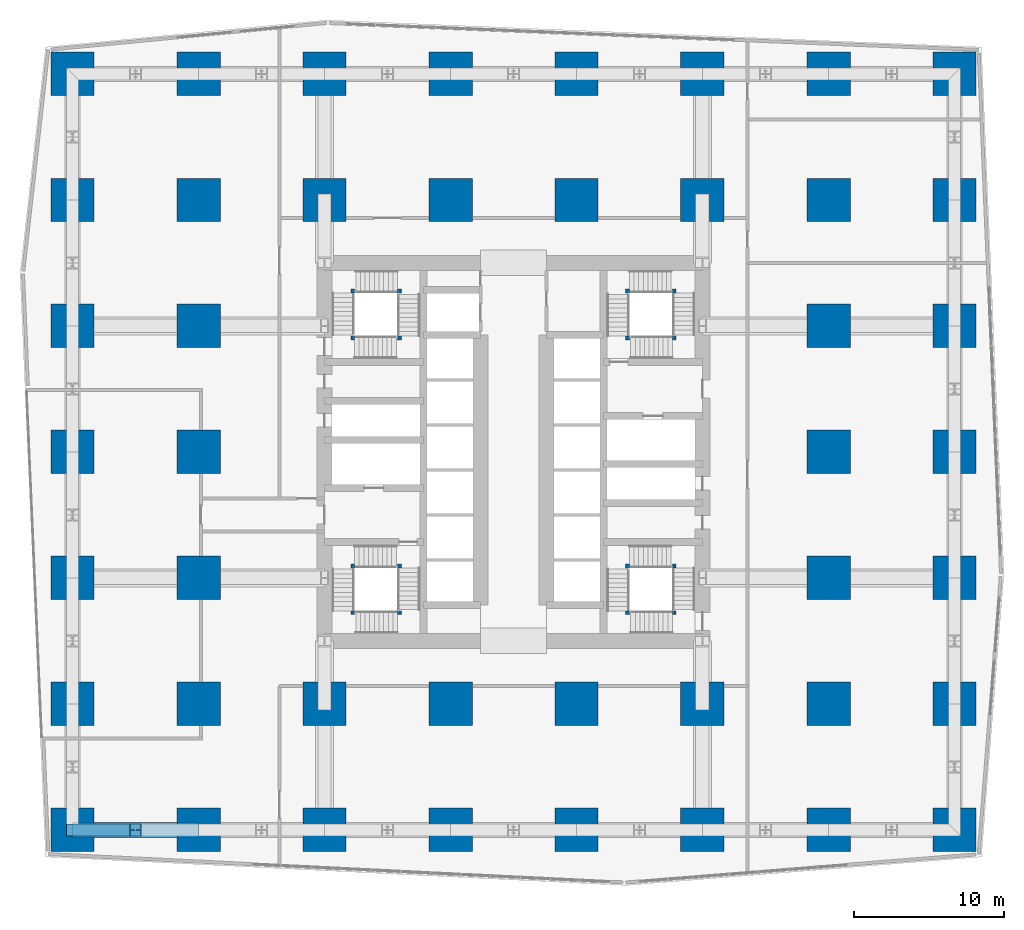
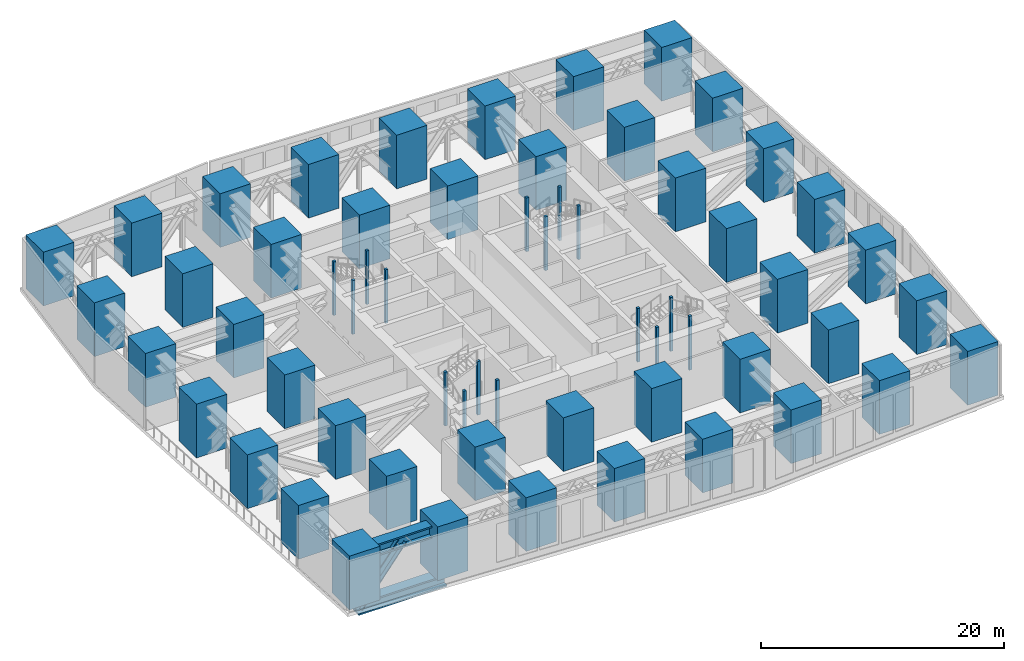
# One storey, part 1 of 16: 60 columns, 3 members.
"""IFC4 building model written with IfcOpenShell, lengths in metres."""

from ifc_helpers import new_model, si_unit, direction, frame, origin, origin_2d, place, context, subcontext, project, spatial, rectangle, i_section, extrude, material, material_profile, profile_set, type_object, element, save


model = new_model("IFC4")

# Units and contexts
model_context = context("Model", 3, precision=1e-05, world=origin(), true_north=direction((0.0, 1.0)))
body_context = subcontext(model_context, "Body", "Model", "MODEL_VIEW")
ifc_project = project(units=[si_unit("LENGTHUNIT", "METRE"), si_unit("AREAUNIT", "SQUARE_METRE"), si_unit("VOLUMEUNIT", "CUBIC_METRE"), si_unit("PLANEANGLEUNIT", "RADIAN"), si_unit("MASSUNIT", "GRAM", prefix="KILO")], contexts=[model_context])

# Site, building, storey
site_placement = place(None, origin())
site = spatial("IfcSite", under=ifc_project, at=site_placement, CompositionType="ELEMENT")
building_placement = place(site_placement, origin())
building = spatial("IfcBuilding", under=site, at=building_placement, Name="Rekha Terrace Tower", CompositionType="ELEMENT")
storey_placement = place(building_placement, frame((0.0, 0.0, 85.39990234375)))
storey = spatial("IfcBuildingStorey", under=building, at=storey_placement, Name="L21", CompositionType="ELEMENT", Elevation=85.39990234375)

# Columns
ifc_material_1 = material(Name="Concrete M70", Category="concrete")
ifc_material_profile_1 = material_profile(ifc_material_1, rectangle(XDim=2.89990234375, YDim=2.89990234375, at=origin_2d()), Name="RC 2900x2900")
ifc_profile_set_1 = profile_set([ifc_material_profile_1], Name="Concrete M70")
column_type_1 = type_object("IfcColumnType", Name="C3B 2900x2900 column", PredefinedType="COLUMN", material=ifc_profile_set_1)
for number, where, z_axis, x_axis, name in (
    (1, (8.39990234375, 8.39990234375, 0.0), (0.0, 0.0, 1.0), (1.0, 0.0, 0.0), "Column C3B 2/B L21"),
    (2, (8.39990234375, 16.800048828125, 0.0), (0.0, 0.0, 1.0), (1.0, 0.0, 0.0), "Column C3B 2/C L21"),
    (3, (8.39990234375, 25.199951171875, 0.0), (0.0, 0.0, 1.0), (1.0, 0.0, 0.0), "Column C3B 2/D L21"),
    (4, (8.39990234375, 33.60009765625, 0.0), (0.0, 0.0, 1.0), (1.0, 0.0, 0.0), "Column C3B 2/E L21"),
    (5, (8.39990234375, 42.0, 0.0), (0.0, 0.0, 1.0), (1.0, 0.0, 0.0), "Column C3B 2/F L21"),
    (6, (8.39990234375, 50.39990234375, 0.0), (0.0, 0.0, 1.0), (1.0, 0.0, 0.0), "Column C3B 2/G L21"),
    (7, (8.39990234375, 58.800048828125, 0.0), (0.0, 0.0, 1.0), (1.0, 0.0, 0.0), "Column C3B 2/H L21"),
    (8, (16.800048828125, 8.39990234375, 0.0), (0.0, 0.0, 1.0), (1.0, 0.0, 0.0), "Column C3B 3/B L21"),
    (9, (16.800048828125, 16.800048828125, 0.0), (0.0, 0.0, 1.0), (1.0, 0.0, 0.0), "Column C3B 3/C L21"),
    (10, (16.800048828125, 25.199951171875, 0.0), (0.0, 0.0, 1.0), (1.0, 0.0, 0.0), "Column C3B 3/D L21"),
    (11, (16.800048828125, 33.60009765625, 0.0), (0.0, 0.0, 1.0), (1.0, 0.0, 0.0), "Column C3B 3/E L21"),
    (12, (16.800048828125, 42.0, 0.0), (0.0, 0.0, 1.0), (1.0, 0.0, 0.0), "Column C3B 3/F L21"),
    (13, (16.800048828125, 50.39990234375, 0.0), (0.0, 0.0, 1.0), (1.0, 0.0, 0.0), "Column C3B 3/G L21"),
    (14, (16.800048828125, 58.800048828125, 0.0), (0.0, 0.0, 1.0), (1.0, 0.0, 0.0), "Column C3B 3/H L21"),
    (15, (25.199951171875, 8.39990234375, 0.0), (0.0, 0.0, 1.0), (1.0, 0.0, 0.0), "Column C3B 4/B L21"),
    (16, (25.199951171875, 16.800048828125, 0.0), (0.0, 0.0, 1.0), (1.0, 0.0, 0.0), "Column C3B 4/C L21"),
    (17, (25.199951171875, 50.39990234375, 0.0), (0.0, 0.0, 1.0), (1.0, 0.0, 0.0), "Column C3B 4/G L21"),
    (18, (25.199951171875, 58.800048828125, 0.0), (0.0, 0.0, 1.0), (1.0, 0.0, 0.0), "Column C3B 4/H L21"),
    (19, (33.60009765625, 8.39990234375, 0.0), (0.0, 0.0, 1.0), (1.0, 0.0, 0.0), "Column C3B 5/B L21"),
    (20, (33.60009765625, 16.800048828125, 0.0), (0.0, 0.0, 1.0), (1.0, 0.0, 0.0), "Column C3B 5/C L21"),
    (21, (33.60009765625, 50.39990234375, 0.0), (0.0, 0.0, 1.0), (1.0, 0.0, 0.0), "Column C3B 5/G L21"),
    (22, (33.60009765625, 58.800048828125, 0.0), (0.0, 0.0, 1.0), (1.0, 0.0, 0.0), "Column C3B 5/H L21"),
    (23, (42.0, 8.39990234375, 0.0), (0.0, 0.0, 1.0), (1.0, 0.0, 0.0), "Column C3B 6/B L21"),
    (24, (42.0, 16.800048828125, 0.0), (0.0, 0.0, 1.0), (1.0, 0.0, 0.0), "Column C3B 6/C L21"),
    (25, (42.0, 50.39990234375, 0.0), (0.0, 0.0, 1.0), (1.0, 0.0, 0.0), "Column C3B 6/G L21"),
    (26, (42.0, 58.800048828125, 0.0), (0.0, 0.0, 1.0), (1.0, 0.0, 0.0), "Column C3B 6/H L21"),
    (27, (50.39990234375, 8.39990234375, 0.0), (0.0, 0.0, 1.0), (1.0, 0.0, 0.0), "Column C3B 7/B L21"),
    (28, (50.39990234375, 16.800048828125, 0.0), (0.0, 0.0, 1.0), (1.0, 0.0, 0.0), "Column C3B 7/C L21"),
    (29, (50.39990234375, 50.39990234375, 0.0), (0.0, 0.0, 1.0), (1.0, 0.0, 0.0), "Column C3B 7/G L21"),
    (30, (50.39990234375, 58.800048828125, 0.0), (0.0, 0.0, 1.0), (1.0, 0.0, 0.0), "Column C3B 7/H L21"),
    (31, (58.800048828125, 8.39990234375, 0.0), (0.0, 0.0, 1.0), (1.0, 0.0, 0.0), "Column C3B 8/B L21"),
    (32, (58.800048828125, 16.800048828125, 0.0), (0.0, 0.0, 1.0), (1.0, 0.0, 0.0), "Column C3B 8/C L21"),
    (33, (58.800048828125, 25.199951171875, 0.0), (0.0, 0.0, 1.0), (1.0, 0.0, 0.0), "Column C3B 8/D L21"),
    (34, (58.800048828125, 33.60009765625, 0.0), (0.0, 0.0, 1.0), (1.0, 0.0, 0.0), "Column C3B 8/E L21"),
    (35, (58.800048828125, 42.0, 0.0), (0.0, 0.0, 1.0), (1.0, 0.0, 0.0), "Column C3B 8/F L21"),
    (36, (58.800048828125, 50.39990234375, 0.0), (0.0, 0.0, 1.0), (1.0, 0.0, 0.0), "Column C3B 8/G L21"),
    (37, (58.800048828125, 58.800048828125, 0.0), (0.0, 0.0, 1.0), (1.0, 0.0, 0.0), "Column C3B 8/H L21"),
    (38, (67.199951171875, 8.39990234375, 0.0), (0.0, 0.0, 1.0), (1.0, 0.0, 0.0), "Column C3B 9/B L21"),
    (39, (67.199951171875, 16.800048828125, 0.0), (0.0, 0.0, 1.0), (1.0, 0.0, 0.0), "Column C3B 9/C L21"),
    (40, (67.199951171875, 25.199951171875, 0.0), (0.0, 0.0, 1.0), (1.0, 0.0, 0.0), "Column C3B 9/D L21"),
    (41, (67.199951171875, 33.60009765625, 0.0), (0.0, 0.0, 1.0), (1.0, 0.0, 0.0), "Column C3B 9/E L21"),
    (42, (67.199951171875, 42.0, 0.0), (0.0, 0.0, 1.0), (1.0, 0.0, 0.0), "Column C3B 9/F L21"),
    (43, (67.199951171875, 50.39990234375, 0.0), (0.0, 0.0, 1.0), (1.0, 0.0, 0.0), "Column C3B 9/G L21"),
    (44, (67.199951171875, 58.800048828125, 0.0), (0.0, 0.0, 1.0), (1.0, 0.0, 0.0), "Column C3B 9/H L21"),
):
    element("IfcColumn", number, at=place(storey_placement, frame(where, z_axis=z_axis, x_axis=x_axis)), inside=storey, type_object=column_type_1, Name=name, PredefinedType="COLUMN", context=body_context, shape_type="SweptSolid", body=[
        extrude(rectangle(XDim=2.89990234375, YDim=2.89990234375, at=origin_2d()), origin(), (0.0, 0.0, 1.0), 5.400146484375),
    ])
ifc_material_2 = material(Name="Concrete M60", Category="concrete")
ifc_material_profile_2 = material_profile(ifc_material_2, rectangle(XDim=0.25, YDim=0.25, at=origin_2d()), Name="RC 250x250")
ifc_profile_set_2 = profile_set([ifc_material_profile_2], Name="Concrete M60")
column_type_2 = type_object("IfcColumnType", Name="NP1 250x250 stair newel post", PredefinedType="COLUMN", material=ifc_profile_set_2)
for number, where, z_axis, x_axis, name in (
    (45, (30.199951171875, 26.0, 0.0), (0.0, 0.0, 1.0), (1.0, 0.0, 0.0), "Stair newel post NP1"),
    (46, (30.199951171875, 22.875, 0.0), (0.0, 0.0, 1.0), (1.0, 0.0, 0.0), "Stair newel post NP1"),
    (47, (27.074951171875, 22.875, 0.0), (0.0, 0.0, 1.0), (1.0, 0.0, 0.0), "Stair newel post NP1"),
    (48, (27.074951171875, 26.0, 0.0), (0.0, 0.0, 1.0), (1.0, 0.0, 0.0), "Stair newel post NP1"),
    (49, (45.39990234375, 41.199951171875, 0.0), (0.0, 0.0, 1.0), (1.0, 0.0, 0.0), "Stair newel post NP1"),
    (50, (45.39990234375, 44.324951171875, 0.0), (0.0, 0.0, 1.0), (1.0, 0.0, 0.0), "Stair newel post NP1"),
    (51, (48.52490234375, 44.324951171875, 0.0), (0.0, 0.0, 1.0), (1.0, 0.0, 0.0), "Stair newel post NP1"),
    (52, (48.52490234375, 41.199951171875, 0.0), (0.0, 0.0, 1.0), (1.0, 0.0, 0.0), "Stair newel post NP1"),
    (53, (48.52490234375, 22.875, 0.0), (0.0, 0.0, 1.0), (1.0, 0.0, 0.0), "Stair newel post NP1"),
    (54, (45.39990234375, 22.875, 0.0), (0.0, 0.0, 1.0), (1.0, 0.0, 0.0), "Stair newel post NP1"),
    (55, (45.39990234375, 26.0, 0.0), (0.0, 0.0, 1.0), (1.0, 0.0, 0.0), "Stair newel post NP1"),
    (56, (48.52490234375, 26.0, 0.0), (0.0, 0.0, 1.0), (1.0, 0.0, 0.0), "Stair newel post NP1"),
    (57, (27.074951171875, 41.199951171875, 0.0), (0.0, 0.0, 1.0), (1.0, 0.0, 0.0), "Stair newel post NP1"),
    (58, (30.199951171875, 41.199951171875, 0.0), (0.0, 0.0, 1.0), (1.0, 0.0, 0.0), "Stair newel post NP1"),
    (59, (30.199951171875, 44.324951171875, 0.0), (0.0, 0.0, 1.0), (1.0, 0.0, 0.0), "Stair newel post NP1"),
    (60, (27.074951171875, 44.324951171875, 0.0), (0.0, 0.0, 1.0), (1.0, 0.0, 0.0), "Stair newel post NP1"),
):
    element("IfcColumn", number, at=place(storey_placement, frame(where, z_axis=z_axis, x_axis=x_axis)), inside=storey, type_object=column_type_2, Name=name, PredefinedType="COLUMN", context=body_context, shape_type="SweptSolid", body=[
        extrude(rectangle(XDim=0.25, YDim=0.25, at=origin_2d()), origin(), (0.0, 0.0, 1.0), 5.400146484375),
    ])

# Members
ifc_material_3 = material(Name="Steel E350", Category="steel")
ifc_material_profile_3 = material_profile(ifc_material_3, i_section(OverallWidth=1.0, OverallDepth=1.199951171875, WebThickness=0.110107421875, FlangeThickness=0.14990234375, at=origin_2d()), Name="BU 1200x1000x110x150")
ifc_profile_set_3 = profile_set([ifc_material_profile_3], Name="Steel E350")
member_type_1 = type_object("IfcMemberType", Name="BC21 BU 1200x1000x110x150 belt truss chord", PredefinedType="CHORD", material=ifc_profile_set_3)
for number, where, z_axis, x_axis, name in (
    (61, (8.39990234375, 8.39990234375, 4.300048828125), (1.0, 0.0, 0.0), (0.0, 1.0, 0.0), "Belt top chord 2B-3B L21"),
    (62, (8.39990234375, 8.39990234375, -1.0498046875), (1.0, 0.0, 0.0), (0.0, 1.0, 0.0), "Belt bottom chord 2B-3B L21"),
):
    element("IfcMember", number, at=place(storey_placement, frame(where, z_axis=z_axis, x_axis=x_axis)), inside=storey, type_object=member_type_1, Name=name, PredefinedType="CHORD", context=body_context, shape_type="SweptSolid", body=[
        extrude(i_section(OverallWidth=1.0, OverallDepth=1.199951171875, WebThickness=0.110107421875, FlangeThickness=0.14990234375, at=origin_2d()), origin(), (0.0, 0.0, 1.0), 8.400146484375),
    ])
ifc_material_profile_4 = material_profile(ifc_material_3, i_section(OverallWidth=0.800048828125, OverallDepth=1.0, WebThickness=0.050048828125, FlangeThickness=0.090087890625, at=origin_2d()), Name="BU 1000x800x50x90")
ifc_profile_set_4 = profile_set([ifc_material_profile_4], Name="Steel E350")
member_type_2 = type_object("IfcMemberType", Name="BD21 BU 1000x800x50x90 belt truss diagonal", PredefinedType="BRACE", material=ifc_profile_set_4)
member_placement = place(storey_placement, frame((8.39990234375, 8.39990234375, -1.0498046875), z_axis=(0.617525068892, 0.0, 0.786551199408), x_axis=(0.0, 1.0, 0.0)))
element("IfcMember", 63, at=member_placement, inside=storey, type_object=member_type_2, Name="Belt diagonal 2B-3B L21", PredefinedType="BRACE", context=body_context, shape_type="SweptSolid", body=[
    extrude(i_section(OverallWidth=0.800048828125, OverallDepth=1.0, WebThickness=0.050048828125, FlangeThickness=0.090087890625, at=origin_2d()), origin(), (0.0, 0.0, 1.0), 6.8017578125),
])

save(model, "model.ifc")
